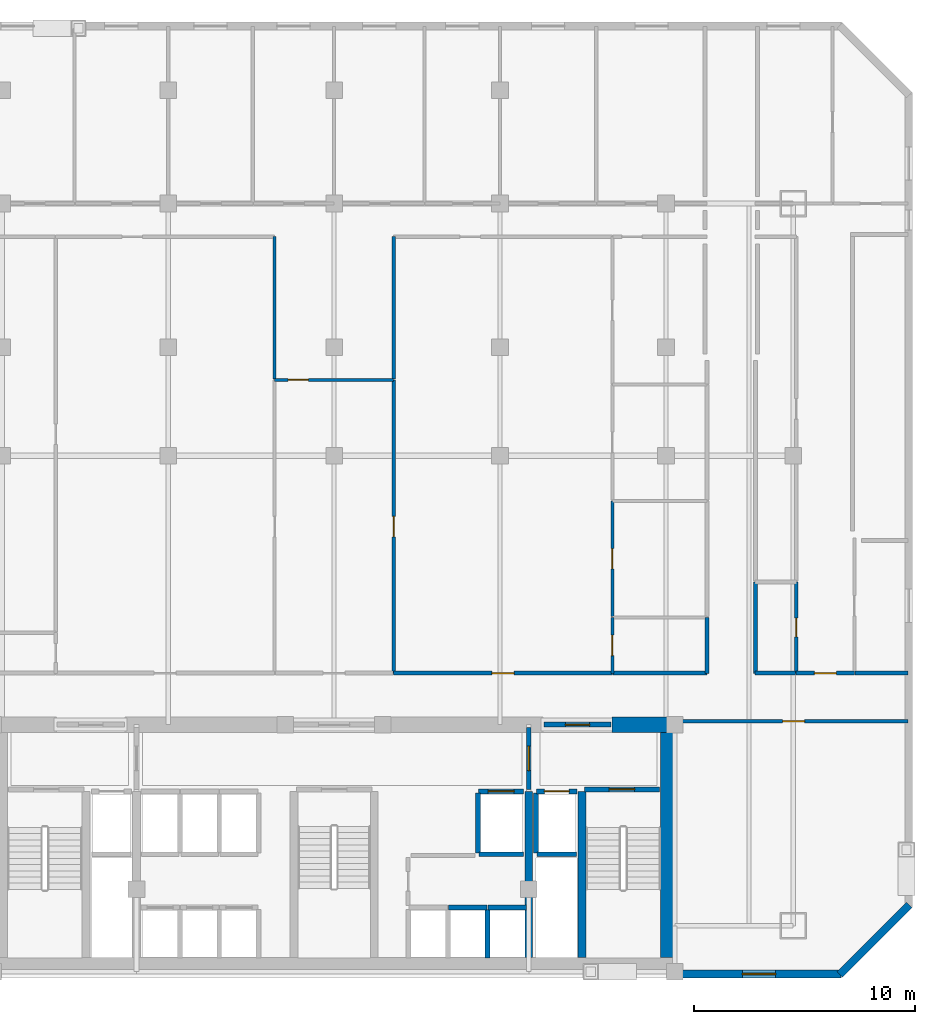
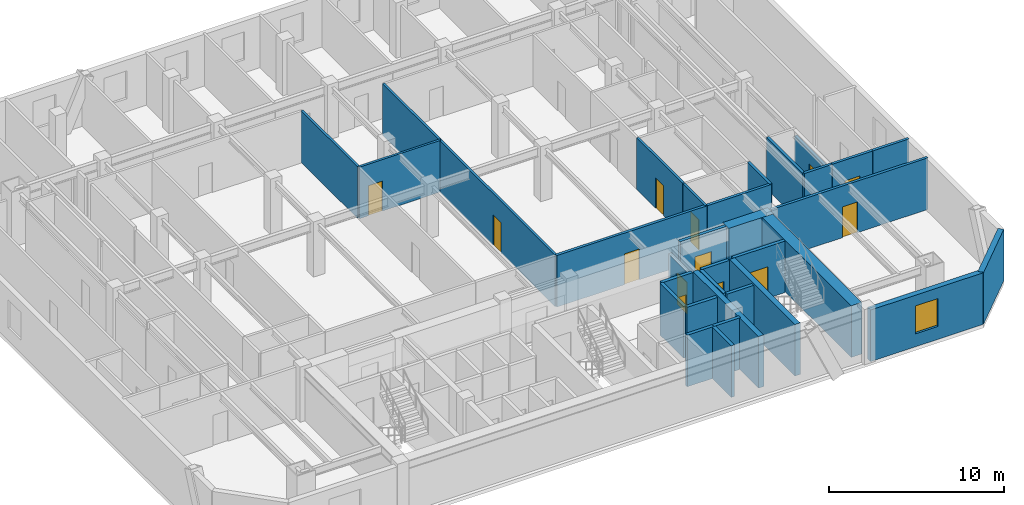
# One storey, part 4 of 8: 33 walls, 13 doors, 1 window, 14 openings.
"""IFC4 building model written with IfcOpenShell, lengths in metres."""

from ifc_helpers import new_model, si_unit, direction, frame, frame_2d, origin, place, context, subcontext, project, spatial, rectangle, extrude, material, layer, layer_set, type_object, element, fill, save


model = new_model("IFC4")

# Units and contexts
model_context = context("Model", 3, precision=1e-05, world=origin(), true_north=direction((0.0, 1.0)))
body_context = subcontext(model_context, "Body", "Model", "MODEL_VIEW")
ifc_project = project(units=[si_unit("LENGTHUNIT", "METRE"), si_unit("AREAUNIT", "SQUARE_METRE"), si_unit("VOLUMEUNIT", "CUBIC_METRE"), si_unit("PLANEANGLEUNIT", "RADIAN"), si_unit("MASSUNIT", "GRAM", prefix="KILO")], contexts=[model_context])

# Site, building, storey
site_placement = place(None, origin())
site = spatial("IfcSite", under=ifc_project, at=site_placement, CompositionType="ELEMENT")
building_placement = place(site_placement, origin())
building = spatial("IfcBuilding", under=site, at=building_placement, Name="Ventersveld Concourse Tower", CompositionType="ELEMENT")
storey_placement = place(building_placement, frame((0.0, 0.0, 127.25)))
storey = spatial("IfcBuildingStorey", under=building, at=storey_placement, Name="L31", CompositionType="ELEMENT", Elevation=127.25)

# Walls
ifc_material_1 = material(Name="Concrete C60/75", Category="concrete")
ifc_layer_1 = layer(ifc_material_1, 0.35009765625)
ifc_layer_set_1 = layer_set([ifc_layer_1], Name="Concrete C60/75")
wall_type_1 = type_object("IfcWallType", Name="WL-CORE-350L", PredefinedType="SHEAR", material=ifc_layer_set_1)
for number, where, z_axis, x_axis, name in (
    (1, (37.550048828125, 0.919921875, 0.0), (0.0, 0.0, 1.0), (0.0, 1.0, 0.0), "L31 Core Internal Shear Web W-SVL-W"),
    (2, (39.9599609375, 0.919921875, 0.0), (0.0, 0.0, 1.0), (0.0, 1.0, 0.0), "L31 Core Internal Shear Web W-ST2-W"),
):
    element("IfcWall", number, at=place(storey_placement, frame(where, z_axis=z_axis, x_axis=x_axis)), inside=storey, type_object=wall_type_1, Name=name, PredefinedType="SHEAR", context=body_context, shape_type="SweptSolid", body=[
        extrude(rectangle(XDim=7.5, YDim=0.35009765625, at=frame_2d((3.75, 0.0))), origin(), (0.0, 0.0, 1.0), 3.60009765625),
    ])
ifc_layer_2 = layer(ifc_material_1, 0.699951171875)
ifc_layer_set_2 = layer_set([ifc_layer_2], Name="Concrete C60/75")
wall_type_2 = type_object("IfcWallType", Name="WL-CORE-700", PredefinedType="SHEAR", material=ifc_layer_set_2)
wall_1_placement = place(storey_placement, frame((43.85009765625, 0.919921875, 0.0), z_axis=(0.0, 0.0, 1.0), x_axis=(0.0, 1.0, 0.0)))
element("IfcWall", 3, at=wall_1_placement, inside=storey, type_object=wall_type_2, Name="L31 Rear Core East Shear Wall", PredefinedType="SHEAR", context=body_context, shape_type="SweptSolid", body=[
    extrude(rectangle(XDim=10.530029296875, YDim=0.699951171875, at=frame_2d((5.26513671875, 0.0))), origin(), (0.0, 0.0, 1.0), 3.60009765625),
])
wall_2_placement = place(storey_placement, frame((41.300048828125, 11.449951171875, 0.0), z_axis=(0.0, 0.0, 1.0), x_axis=(1.0, 0.0, 0.0)))
element("IfcWall", 4, at=wall_2_placement, inside=storey, type_object=wall_type_2, Name="L31 Rear Core North Shear Wall NE", PredefinedType="SHEAR", context=body_context, shape_type="SweptSolid", body=[
    extrude(rectangle(XDim=2.949951171875, YDim=0.699951171875, at=frame_2d((1.47509765625, 0.0))), origin(), (0.0, 0.0, 1.0), 3.60009765625),
])

# Wall, opening, door
ifc_material_2 = material(Name="Fire-rated autoclaved aerated masonry blockwork", Category="masonry")
ifc_layer_3 = layer(ifc_material_2, 0.179931640625)
ifc_layer_set_3 = layer_set([ifc_layer_3], Name="Fire-rated autoclaved aerated masonry blockwork")
wall_type_3 = type_object("IfcWallType", Name="WL-CORR-180", PredefinedType="PARTITIONING", material=ifc_layer_set_3)
wall_3_placement = place(storey_placement, frame((44.35498046875, 11.60009765625, 0.0), z_axis=(0.0, 0.0, 1.0), x_axis=(1.0, 0.0, 0.0)))
wall_3 = element("IfcWall", 5, at=wall_3_placement, inside=storey, type_object=wall_type_3, Name="L31 Interior Partition SP-L31-SE-OFF-SP-L31-COR", PredefinedType="PARTITIONING", context=body_context, shape_type="SweptSolid", body=[
    extrude(rectangle(XDim=10.3349609375, YDim=0.179931640625, at=frame_2d((5.16748046875, 0.0))), origin(), (0.0, 0.0, 1.0), 3.60009765625),
])
opening_1_placement = place(wall_3_placement, frame((4.66748046875, 0.0, 0.0)))
opening_1 = element("IfcOpeningElement", 6, at=opening_1_placement, cuts=wall_3, Name="Opening FD3", PredefinedType="OPENING", context=body_context, shape_type="SweptSolid", body=[
    extrude(rectangle(XDim=1.0, YDim=2.14990234375, at=frame_2d((0.5, 1.074951171875))), frame((0.0, 0.10009765625, 0.0), z_axis=(0.0, -1.0, 0.0), x_axis=(1.0, 0.0, 0.0)), (0.0, 0.0, 1.0), 0.199951171875),
])
ifc_material_3 = material(Name="Solid-core hardwood veneer timber", Category="wood")
door_type_1 = type_object("IfcDoorType", Name="DR-FLAT-100", OperationType="NOTDEFINED", PredefinedType="DOOR", material=ifc_material_3)
door_1_placement = place(opening_1_placement, origin())
door_1 = element("IfcDoor", 7, at=door_1_placement, inside=storey, type_object=door_type_1, Name="L31 Interior Door SP-L31-SE-OFF to SP-L31-COR (D-L31-1544)", OperationType="SINGLE_SWING_RIGHT", OverallHeight=2.14990234375, OverallWidth=1.0, PredefinedType="DOOR", context=body_context, shape_type="SweptSolid", body=[
    extrude(rectangle(XDim=1.0, YDim=2.14990234375, at=frame_2d((0.5, 1.074951171875))), frame((0.0, 0.02490234375, 0.0), z_axis=(0.0, -1.0, 0.0), x_axis=(1.0, 0.0, 0.0)), (0.0, 0.0, 1.0), 0.050048828125),
])
fill(opening_1, door_1)

wall_4_placement = place(storey_placement, frame((49.637451171875, 13.77001953125, 0.0), z_axis=(0.0, 0.0, 1.0), x_axis=(1.0, 0.0, 0.0)))
wall_4 = element("IfcWall", 8, at=wall_4_placement, inside=storey, type_object=wall_type_3, Name="L31 Interior Partition SP-L31-COR-SP-L31-31NE-LIV", PredefinedType="PARTITIONING", context=body_context, shape_type="SweptSolid", body=[
    extrude(rectangle(XDim=2.635986328125, YDim=0.179931640625, at=frame_2d((1.31787109375, 0.0))), origin(), (0.0, 0.0, 1.0), 3.60009765625),
])
opening_2_placement = place(wall_4_placement, frame((0.818115234375, 0.0, 0.0)))
opening_2 = element("IfcOpeningElement", 9, at=opening_2_placement, cuts=wall_4, Name="Opening FD3", PredefinedType="OPENING", context=body_context, shape_type="SweptSolid", body=[
    extrude(rectangle(XDim=1.0, YDim=2.14990234375, at=frame_2d((0.5, 1.074951171875))), frame((0.0, 0.10009765625, 0.0), z_axis=(0.0, -1.0, 0.0), x_axis=(1.0, 0.0, 0.0)), (0.0, 0.0, 1.0), 0.199951171875),
])
door_2_placement = place(opening_2_placement, origin())
door_2 = element("IfcDoor", 10, at=door_2_placement, inside=storey, type_object=door_type_1, Name="L31 Interior Door SP-L31-COR to SP-L31-31NE-LIV (FD-L31-1546)", OperationType="SINGLE_SWING_RIGHT", OverallHeight=2.14990234375, OverallWidth=1.0, PredefinedType="DOOR", context=body_context, shape_type="SweptSolid", body=[
    extrude(rectangle(XDim=1.0, YDim=2.14990234375, at=frame_2d((0.5, 1.074951171875))), frame((0.0, 0.02490234375, 0.0), z_axis=(0.0, -1.0, 0.0), x_axis=(1.0, 0.0, 0.0)), (0.0, 0.0, 1.0), 0.050048828125),
])
fill(opening_2, door_2)

# Walls
wall_5_placement = place(storey_placement, frame((47.7900390625, 13.764892578125, 0.0), z_axis=(0.0, 0.0, 1.0), x_axis=(0.0, 1.0, 0.0)))
element("IfcWall", 11, at=wall_5_placement, inside=storey, type_object=wall_type_3, Name="L31 Interior Partition SP-L31-COR-SP-L31-31NE-BATH", PredefinedType="PARTITIONING", context=body_context, shape_type="SweptSolid", body=[
    extrude(rectangle(XDim=4.136474609375, YDim=0.179931640625, at=frame_2d((2.068359375, 0.0))), origin(), (0.0, 0.0, 1.0), 3.60009765625),
])
wall_6_placement = place(storey_placement, frame((47.784912109375, 13.77001953125, 0.0), z_axis=(0.0, 0.0, 1.0), x_axis=(1.0, 0.0, 0.0)))
element("IfcWall", 12, at=wall_6_placement, inside=storey, type_object=wall_type_3, Name="L31 Interior Partition SP-L31-COR-SP-L31-31NE-BATH", PredefinedType="PARTITIONING", context=body_context, shape_type="SweptSolid", body=[
    extrude(rectangle(XDim=1.822509765625, YDim=0.179931640625, at=frame_2d((0.9111328125, 0.0))), origin(), (0.0, 0.0, 1.0), 3.60009765625),
])
wall_7_placement = place(storey_placement, frame((52.303466796875, 13.77001953125, 0.0), z_axis=(0.0, 0.0, 1.0), x_axis=(1.0, 0.0, 0.0)))
element("IfcWall", 13, at=wall_7_placement, inside=storey, type_object=wall_type_3, Name="L31 Interior Partition SP-L31-COR-SP-L31-31NE-KIT", PredefinedType="PARTITIONING", context=body_context, shape_type="SweptSolid", body=[
    extrude(rectangle(XDim=2.386474609375, YDim=0.179931640625, at=frame_2d((1.193359375, 0.0))), origin(), (0.0, 0.0, 1.0), 3.60009765625),
])

# Wall, opening, door
wall_8_placement = place(storey_placement, frame((31.43505859375, 13.77001953125, 0.0), z_axis=(0.0, 0.0, 1.0), x_axis=(1.0, 0.0, 0.0)))
wall_8 = element("IfcWall", 14, at=wall_8_placement, inside=storey, type_object=wall_type_3, Name="L31 Interior Partition SP-L31-COR-SP-L31-31N1-EGAL1", PredefinedType="PARTITIONING", context=body_context, shape_type="SweptSolid", body=[
    extrude(rectangle(XDim=9.89990234375, YDim=0.179931640625, at=frame_2d((4.949951171875, 0.0))), origin(), (0.0, 0.0, 1.0), 3.60009765625),
])
opening_3_placement = place(wall_8_placement, frame((4.449951171875, 0.0, 0.0)))
opening_3 = element("IfcOpeningElement", 15, at=opening_3_placement, cuts=wall_8, Name="Opening FD3", PredefinedType="OPENING", context=body_context, shape_type="SweptSolid", body=[
    extrude(rectangle(XDim=1.0, YDim=2.14990234375, at=frame_2d((0.5, 1.074951171875))), frame((0.0, 0.10009765625, 0.0), z_axis=(0.0, -1.0, 0.0), x_axis=(1.0, 0.0, 0.0)), (0.0, 0.0, 1.0), 0.199951171875),
])
door_3_placement = place(opening_3_placement, origin())
door_3 = element("IfcDoor", 16, at=door_3_placement, inside=storey, type_object=door_type_1, Name="L31 Interior Door SP-L31-COR to SP-L31-31N1-EGAL1 (FD-L31-1548)", OperationType="SINGLE_SWING_RIGHT", OverallHeight=2.14990234375, OverallWidth=1.0, PredefinedType="DOOR", context=body_context, shape_type="SweptSolid", body=[
    extrude(rectangle(XDim=1.0, YDim=2.14990234375, at=frame_2d((0.5, 1.074951171875))), frame((0.0, 0.02490234375, 0.0), z_axis=(0.0, -1.0, 0.0), x_axis=(1.0, 0.0, 0.0)), (0.0, 0.0, 1.0), 0.050048828125),
])
fill(opening_3, door_3)

# Walls
wall_9_placement = place(storey_placement, frame((41.364990234375, 13.77001953125, 0.0), z_axis=(0.0, 0.0, 1.0), x_axis=(1.0, 0.0, 0.0)))
element("IfcWall", 17, at=wall_9_placement, inside=storey, type_object=wall_type_3, Name="L31 Interior Partition SP-L31-COR-SP-L31-31N1-KIT", PredefinedType="PARTITIONING", context=body_context, shape_type="SweptSolid", body=[
    extrude(rectangle(XDim=4.25, YDim=0.179931640625, at=frame_2d((2.125, 0.0))), origin(), (0.0, 0.0, 1.0), 3.60009765625),
])
wall_10_placement = place(storey_placement, frame((45.610107421875, 13.764892578125, 0.0), z_axis=(0.0, 0.0, 1.0), x_axis=(0.0, 1.0, 0.0)))
element("IfcWall", 18, at=wall_10_placement, inside=storey, type_object=wall_type_3, Name="L31 Interior Partition SP-L31-COR-SP-L31-31N1-KIT", PredefinedType="PARTITIONING", context=body_context, shape_type="SweptSolid", body=[
    extrude(rectangle(XDim=2.531494140625, YDim=0.179931640625, at=frame_2d((1.265625, 0.0))), origin(), (0.0, 0.0, 1.0), 3.60009765625),
])
ifc_layer_4 = layer(ifc_material_2, 0.219970703125)
ifc_layer_set_4 = layer_set([ifc_layer_4], Name="Fire-rated autoclaved aerated masonry blockwork")
wall_type_4 = type_object("IfcWallType", Name="WL-HOIST-220", PredefinedType="SOLIDWALL", material=ifc_layer_set_4)
wall_11_placement = place(storey_placement, frame((37.919921875, 5.590087890625, 0.0), z_axis=(0.0, 0.0, 1.0), x_axis=(1.0, 0.0, 0.0)))
element("IfcWall", 19, at=wall_11_placement, inside=storey, type_object=wall_type_4, Name="L31 Lift Hoistway Back Wall FFL-02", PredefinedType="SOLIDWALL", context=body_context, shape_type="SweptSolid", body=[
    extrude(rectangle(XDim=1.780029296875, YDim=0.219970703125, at=frame_2d((0.89013671875, 0.0))), origin(), (0.0, 0.0, 1.0), 3.60009765625),
])
wall_12_placement = place(storey_placement, frame((37.8798828125, 5.64990234375, 0.0), z_axis=(0.0, 0.0, 1.0), x_axis=(0.0, 1.0, 0.0)))
element("IfcWall", 20, at=wall_12_placement, inside=storey, type_object=wall_type_4, Name="L31 Lift Hoistway Side Wall FFL-02W", PredefinedType="SOLIDWALL", context=body_context, shape_type="SweptSolid", body=[
    extrude(rectangle(XDim=2.7001953125, YDim=0.219970703125, at=frame_2d((1.35009765625, 0.0))), origin(), (0.0, 0.0, 1.0), 3.60009765625),
])

# Wall, opening, door
wall_13_placement = place(storey_placement, frame((37.89990234375, 8.429931640625, 0.0), z_axis=(0.0, 0.0, 1.0), x_axis=(1.0, 0.0, 0.0)))
wall_13 = element("IfcWall", 21, at=wall_13_placement, inside=storey, type_object=wall_type_4, Name="L31 Lift Hoistway Front Wall FFL-02", PredefinedType="SOLIDWALL", context=body_context, shape_type="SweptSolid", body=[
    extrude(rectangle(XDim=1.820068359375, YDim=0.219970703125, at=frame_2d((0.91015625, 0.0))), origin(), (0.0, 0.0, 1.0), 3.60009765625),
])
opening_4_placement = place(wall_13_placement, frame((0.35009765625, 0.0, 0.0)))
opening_4 = element("IfcOpeningElement", 22, at=opening_4_placement, cuts=wall_13, Name="Opening LD1", PredefinedType="OPENING", context=body_context, shape_type="SweptSolid", body=[
    extrude(rectangle(XDim=1.1201171875, YDim=2.25, at=frame_2d((0.56005859375, 1.125))), frame((0.0, 0.1201171875, 0.0), z_axis=(0.0, -1.0, 0.0), x_axis=(1.0, 0.0, 0.0)), (0.0, 0.0, 1.0), 0.239990234375),
])
ifc_material_4 = material(Name="Brushed stainless steel 316", Category="steel")
door_type_2 = type_object("IfcDoorType", Name="LD-FF-112", OperationType="SLIDING_TO_LEFT", PredefinedType="DOOR", material=ifc_material_4)
door_4_placement = place(opening_4_placement, origin())
door_4 = element("IfcDoor", 23, at=door_4_placement, inside=storey, type_object=door_type_2, Name="L31 Lift landing door FFL-02 (LD-L31-FFL-02)", OperationType="SLIDING_TO_RIGHT", OverallHeight=2.25, OverallWidth=1.1201171875, PredefinedType="DOOR", context=body_context, shape_type="SweptSolid", body=[
    extrude(rectangle(XDim=1.1201171875, YDim=2.25, at=frame_2d((0.56005859375, 1.125))), frame((0.0, 0.02490234375, 0.0), z_axis=(0.0, -1.0, 0.0), x_axis=(1.0, 0.0, 0.0)), (0.0, 0.0, 1.0), 0.050048828125),
])
fill(opening_4, door_4)

# Walls
wall_14_placement = place(storey_placement, frame((35.300048828125, 5.590087890625, 0.0), z_axis=(0.0, 0.0, 1.0), x_axis=(1.0, 0.0, 0.0)))
element("IfcWall", 24, at=wall_14_placement, inside=storey, type_object=wall_type_4, Name="L31 Lift Hoistway Back Wall SVL-01", PredefinedType="SOLIDWALL", context=body_context, shape_type="SweptSolid", body=[
    extrude(rectangle(XDim=2.0, YDim=0.219970703125, at=frame_2d((1.0, 0.0))), origin(), (0.0, 0.0, 1.0), 3.60009765625),
])
wall_15_placement = place(storey_placement, frame((35.260009765625, 5.64990234375, 0.0), z_axis=(0.0, 0.0, 1.0), x_axis=(0.0, 1.0, 0.0)))
element("IfcWall", 25, at=wall_15_placement, inside=storey, type_object=wall_type_4, Name="L31 Lift Hoistway Side Wall SVL-01W", PredefinedType="SOLIDWALL", context=body_context, shape_type="SweptSolid", body=[
    extrude(rectangle(XDim=2.7001953125, YDim=0.219970703125, at=frame_2d((1.35009765625, 0.0))), origin(), (0.0, 0.0, 1.0), 3.60009765625),
])

# Wall, opening, door
wall_16_placement = place(storey_placement, frame((35.280029296875, 8.429931640625, 0.0), z_axis=(0.0, 0.0, 1.0), x_axis=(1.0, 0.0, 0.0)))
wall_16 = element("IfcWall", 26, at=wall_16_placement, inside=storey, type_object=wall_type_4, Name="L31 Lift Hoistway Front Wall SVL-01", PredefinedType="SOLIDWALL", context=body_context, shape_type="SweptSolid", body=[
    extrude(rectangle(XDim=2.0400390625, YDim=0.219970703125, at=frame_2d((1.02001953125, 0.0))), origin(), (0.0, 0.0, 1.0), 3.60009765625),
])
opening_5_placement = place(wall_16_placement, frame((0.429931640625, 0.0, 0.0)))
opening_5 = element("IfcOpeningElement", 27, at=opening_5_placement, cuts=wall_16, Name="Opening LD2", PredefinedType="OPENING", context=body_context, shape_type="SweptSolid", body=[
    extrude(rectangle(XDim=1.179931640625, YDim=2.199951171875, at=frame_2d((0.58984375, 1.10009765625))), frame((0.0, 0.1201171875, 0.0), z_axis=(0.0, -1.0, 0.0), x_axis=(1.0, 0.0, 0.0)), (0.0, 0.0, 1.0), 0.239990234375),
])
door_type_3 = type_object("IfcDoorType", Name="LD-PAX-118", OperationType="SLIDING_TO_LEFT", PredefinedType="DOOR", material=ifc_material_4)
door_5_placement = place(opening_5_placement, origin())
door_5 = element("IfcDoor", 28, at=door_5_placement, inside=storey, type_object=door_type_3, Name="L31 Lift landing door SVL-01 (LD-L31-SVL-01)", OperationType="SLIDING_TO_LEFT", OverallHeight=2.199951171875, OverallWidth=1.179931640625, PredefinedType="DOOR", context=body_context, shape_type="SweptSolid", body=[
    extrude(rectangle(XDim=1.179931640625, YDim=2.199951171875, at=frame_2d((0.58984375, 1.10009765625))), frame((0.0, 0.02490234375, 0.0), z_axis=(0.0, -1.0, 0.0), x_axis=(1.0, 0.0, 0.0)), (0.0, 0.0, 1.0), 0.050048828125),
])
fill(opening_5, door_5)

# Walls
wall_17_placement = place(storey_placement, frame((35.679931640625, 0.89990234375, 0.0), z_axis=(0.0, 0.0, 1.0), x_axis=(0.0, 1.0, 0.0)))
element("IfcWall", 29, at=wall_17_placement, inside=storey, type_object=wall_type_4, Name="L31 Lift Hoistway Side Wall PM-02E", PredefinedType="SOLIDWALL", context=body_context, shape_type="SweptSolid", body=[
    extrude(rectangle(XDim=2.2001953125, YDim=0.219970703125, at=frame_2d((1.10009765625, 0.0))), origin(), (0.0, 0.0, 1.0), 3.60009765625),
])
for number, where, z_axis, x_axis, name in (
    (30, (33.919921875, 3.179931640625, 0.0), (0.0, 0.0, 1.0), (1.0, 0.0, 0.0), "L31 Lift Hoistway Front Wall PM-02"),
    (31, (35.699951171875, 3.179931640625, 0.0), (0.0, 0.0, 1.0), (1.0, 0.0, 0.0), "L31 Lift Hoistway Front Wall PM-03"),
):
    element("IfcWall", number, at=place(storey_placement, frame(where, z_axis=z_axis, x_axis=x_axis)), inside=storey, type_object=wall_type_4, Name=name, PredefinedType="SOLIDWALL", context=body_context, shape_type="SweptSolid", body=[
        extrude(rectangle(XDim=1.739990234375, YDim=0.219970703125, at=frame_2d((0.8701171875, 0.0))), origin(), (0.0, 0.0, 1.0), 3.60009765625),
    ])

# Wall, opening, door
wall_18_placement = place(storey_placement, frame((40.06005859375, 8.52001953125, 0.0), z_axis=(0.0, 0.0, 1.0), x_axis=(1.0, 0.0, 0.0)))
wall_18 = element("IfcWall", 32, at=wall_18_placement, inside=storey, type_object=wall_type_4, Name="L31 Escape Stair ST02 Fire Wall", PredefinedType="SOLIDWALL", context=body_context, shape_type="SweptSolid", body=[
    extrude(rectangle(XDim=3.39990234375, YDim=0.219970703125, at=frame_2d((1.699951171875, 0.0))), origin(), (0.0, 0.0, 1.0), 3.60009765625),
])
opening_6_placement = place(wall_18_placement, frame((1.125, 0.0, 0.0)))
opening_6 = element("IfcOpeningElement", 33, at=opening_6_placement, cuts=wall_18, Name="Opening FD1", PredefinedType="OPENING", context=body_context, shape_type="SweptSolid", body=[
    extrude(rectangle(XDim=1.14990234375, YDim=2.199951171875, at=frame_2d((0.574951171875, 1.10009765625))), frame((0.0, 0.1201171875, 0.0), z_axis=(0.0, -1.0, 0.0), x_axis=(1.0, 0.0, 0.0)), (0.0, 0.0, 1.0), 0.239990234375),
])
ifc_material_5 = material(Name="Galvanised painted steel", Category="steel")
door_type_4 = type_object("IfcDoorType", Name="DR-STAIR-115", OperationType="NOTDEFINED", PredefinedType="DOOR", material=ifc_material_5)
door_6_placement = place(opening_6_placement, origin())
door_6 = element("IfcDoor", 34, at=door_6_placement, inside=storey, type_object=door_type_4, Name="L31 Escape Stair Door ST02 (SD-L31-1535)", OperationType="SINGLE_SWING_RIGHT", OverallHeight=2.199951171875, OverallWidth=1.14990234375, PredefinedType="DOOR", context=body_context, shape_type="SweptSolid", body=[
    extrude(rectangle(XDim=1.14990234375, YDim=2.199951171875, at=frame_2d((0.574951171875, 1.10009765625))), frame((0.0, 0.02490234375, 0.0), z_axis=(0.0, -1.0, 0.0), x_axis=(1.0, 0.0, 0.0)), (0.0, 0.0, 1.0), 0.050048828125),
])
fill(opening_6, door_6)

wall_19_placement = place(storey_placement, frame((37.550048828125, 8.52001953125, 0.0), z_axis=(0.0, 0.0, 1.0), x_axis=(0.0, 1.0, 0.0)))
wall_19 = element("IfcWall", 35, at=wall_19_placement, inside=storey, type_object=wall_type_4, Name="L31 Firefighting Lobby Smoke-Stop Wall FFLE-SEP", PredefinedType="SOLIDWALL", context=body_context, shape_type="SweptSolid", body=[
    extrude(rectangle(XDim=2.800048828125, YDim=0.219970703125, at=frame_2d((1.39990234375, 0.0))), origin(), (0.0, 0.0, 1.0), 3.055419921875),
])
opening_7_placement = place(wall_19_placement, frame((0.85009765625, 0.0, 0.0)))
opening_7 = element("IfcOpeningElement", 36, at=opening_7_placement, cuts=wall_19, Name="Opening FD2", PredefinedType="OPENING", context=body_context, shape_type="SweptSolid", body=[
    extrude(rectangle(XDim=1.10009765625, YDim=2.199951171875, at=frame_2d((0.550048828125, 1.10009765625))), frame((0.0, 0.1201171875, 0.0), z_axis=(0.0, -1.0, 0.0), x_axis=(1.0, 0.0, 0.0)), (0.0, 0.0, 1.0), 0.239990234375),
])
door_type_5 = type_object("IfcDoorType", Name="DR-FFL-110", OperationType="NOTDEFINED", PredefinedType="DOOR", material=ifc_material_5)
door_7_placement = place(opening_7_placement, origin())
door_7 = element("IfcDoor", 37, at=door_7_placement, inside=storey, type_object=door_type_5, Name="L31 Firefighting Lobby Door FFLE-SEP (FD-L31-1538)", OperationType="SINGLE_SWING_RIGHT", OverallHeight=2.199951171875, OverallWidth=1.10009765625, PredefinedType="DOOR", context=body_context, shape_type="SweptSolid", body=[
    extrude(rectangle(XDim=1.10009765625, YDim=2.199951171875, at=frame_2d((0.550048828125, 1.10009765625))), frame((0.0, 0.02490234375, 0.0), z_axis=(0.0, -1.0, 0.0), x_axis=(1.0, 0.0, 0.0)), (0.0, 0.0, 1.0), 0.050048828125),
])
fill(opening_7, door_7)

wall_20_placement = place(storey_placement, frame((38.22998046875, 11.449951171875, 0.0), z_axis=(0.0, 0.0, 1.0), x_axis=(1.0, 0.0, 0.0)))
wall_20 = element("IfcWall", 38, at=wall_20_placement, inside=storey, type_object=wall_type_4, Name="L31 Core North Fire Portal FFLE-OUT", PredefinedType="SOLIDWALL", context=body_context, shape_type="SweptSolid", body=[
    extrude(rectangle(XDim=3.0400390625, YDim=0.219970703125, at=frame_2d((1.52001953125, 0.0))), origin(), (0.0, 0.0, 1.0), 3.60009765625),
])
opening_8_placement = place(wall_20_placement, frame((0.969970703125, 0.0, 0.0)))
opening_8 = element("IfcOpeningElement", 39, at=opening_8_placement, cuts=wall_20, Name="Opening FD2", PredefinedType="OPENING", context=body_context, shape_type="SweptSolid", body=[
    extrude(rectangle(XDim=1.10009765625, YDim=2.199951171875, at=frame_2d((0.550048828125, 1.10009765625))), frame((0.0, 0.1201171875, 0.0), z_axis=(0.0, -1.0, 0.0), x_axis=(1.0, 0.0, 0.0)), (0.0, 0.0, 1.0), 0.239990234375),
])
door_8_placement = place(opening_8_placement, origin())
door_8 = element("IfcDoor", 40, at=door_8_placement, inside=storey, type_object=door_type_5, Name="L31 Core Lobby Fire Door FFLE-OUT (FD-L31-1541)", OperationType="SINGLE_SWING_LEFT", OverallHeight=2.199951171875, OverallWidth=1.10009765625, PredefinedType="DOOR", context=body_context, shape_type="SweptSolid", body=[
    extrude(rectangle(XDim=1.10009765625, YDim=2.199951171875, at=frame_2d((0.550048828125, 1.10009765625))), frame((0.0, 0.02490234375, 0.0), z_axis=(0.0, -1.0, 0.0), x_axis=(1.0, 0.0, 0.0)), (0.0, 0.0, 1.0), 0.050048828125),
])
fill(opening_8, door_8)

# Wall
ifc_material_6 = material(Name="Autoclaved aerated masonry blockwork", Category="masonry")
ifc_layer_5 = layer(ifc_material_6, 0.14990234375)
ifc_layer_set_5 = layer_set([ifc_layer_5], Name="Autoclaved aerated masonry blockwork")
wall_type_5 = type_object("IfcWallType", Name="WL-INT-150", PredefinedType="PARTITIONING", material=ifc_layer_set_5)
wall_21_placement = place(storey_placement, frame((26.06005859375, 27.06201171875, 0.0), z_axis=(0.0, 0.0, 1.0), x_axis=(0.0, 1.0, 0.0)))
element("IfcWall", 41, at=wall_21_placement, inside=storey, type_object=wall_type_5, Name="L31 Interior Partition SP-L31-31N1-WGAL1-SP-L31-31N1-LIV", PredefinedType="PARTITIONING", context=body_context, shape_type="SweptSolid", body=[
    extrude(rectangle(XDim=6.44287109375, YDim=0.14990234375, at=frame_2d((3.221435546875, 0.0))), origin(), (0.0, 0.0, 1.0), 3.60009765625),
])

# Wall, opening, door
wall_22_placement = place(storey_placement, frame((31.43994140625, 13.764892578125, 0.0), z_axis=(0.0, 0.0, 1.0), x_axis=(0.0, 1.0, 0.0)))
wall_22 = element("IfcWall", 42, at=wall_22_placement, inside=storey, type_object=wall_type_5, Name="L31 Interior Partition SP-L31-31N1-EGAL1-SP-L31-31N1-FOY", PredefinedType="PARTITIONING", context=body_context, shape_type="SweptSolid", body=[
    extrude(rectangle(XDim=13.26708984375, YDim=0.14990234375, at=frame_2d((6.633544921875, 0.0))), origin(), (0.0, 0.0, 1.0), 3.60009765625),
])
opening_9_placement = place(wall_22_placement, frame((6.17333984375, 0.0, 0.0)))
opening_9 = element("IfcOpeningElement", 43, at=opening_9_placement, cuts=wall_22, Name="Opening ID1", PredefinedType="OPENING", context=body_context, shape_type="SweptSolid", body=[
    extrude(rectangle(XDim=0.919921875, YDim=2.10009765625, at=frame_2d((0.4599609375, 1.050048828125))), frame((0.0, 0.0849609375, 0.0), z_axis=(0.0, -1.0, 0.0), x_axis=(1.0, 0.0, 0.0)), (0.0, 0.0, 1.0), 0.169921875),
])
door_type_6 = type_object("IfcDoorType", Name="DR-ROOM-092", OperationType="NOTDEFINED", PredefinedType="DOOR", material=ifc_material_3)
door_9_placement = place(opening_9_placement, origin())
door_9 = element("IfcDoor", 44, at=door_9_placement, inside=storey, type_object=door_type_6, Name="L31 Interior Door SP-L31-31N1-EGAL1 to SP-L31-31N1-FOY (D-L31-1565)", OperationType="SINGLE_SWING_LEFT", OverallHeight=2.10009765625, OverallWidth=0.919921875, PredefinedType="DOOR", context=body_context, shape_type="SweptSolid", body=[
    extrude(rectangle(XDim=0.919921875, YDim=2.10009765625, at=frame_2d((0.4599609375, 1.050048828125))), frame((0.0, 0.02490234375, 0.0), z_axis=(0.0, -1.0, 0.0), x_axis=(1.0, 0.0, 0.0)), (0.0, 0.0, 1.0), 0.050048828125),
])
fill(opening_9, door_9)

# Wall
wall_23_placement = place(storey_placement, frame((31.43994140625, 27.06201171875, 0.0), z_axis=(0.0, 0.0, 1.0), x_axis=(0.0, 1.0, 0.0)))
element("IfcWall", 45, at=wall_23_placement, inside=storey, type_object=wall_type_5, Name="L31 Interior Partition SP-L31-31N1-EGAL1-SP-L31-31N1-LIV", PredefinedType="PARTITIONING", context=body_context, shape_type="SweptSolid", body=[
    extrude(rectangle(XDim=6.44287109375, YDim=0.14990234375, at=frame_2d((3.221435546875, 0.0))), origin(), (0.0, 0.0, 1.0), 3.60009765625),
])

# Wall, opening, door
wall_24_placement = place(storey_placement, frame((41.330078125, 13.764892578125, 0.0), z_axis=(0.0, 0.0, 1.0), x_axis=(0.0, 1.0, 0.0)))
wall_24 = element("IfcWall", 46, at=wall_24_placement, inside=storey, type_object=wall_type_5, Name="L31 Interior Partition SP-L31-31N1-EGAL1-SP-L31-31N1-KIT", PredefinedType="PARTITIONING", context=body_context, shape_type="SweptSolid", body=[
    extrude(rectangle(XDim=2.531494140625, YDim=0.14990234375, at=frame_2d((1.265625, 0.0))), origin(), (0.0, 0.0, 1.0), 3.60009765625),
])
opening_10_placement = place(wall_24_placement, frame((0.805908203125, 0.0, 0.0)))
opening_10 = element("IfcOpeningElement", 47, at=opening_10_placement, cuts=wall_24, Name="Opening ID1", PredefinedType="OPENING", context=body_context, shape_type="SweptSolid", body=[
    extrude(rectangle(XDim=0.919921875, YDim=2.10009765625, at=frame_2d((0.4599609375, 1.050048828125))), frame((0.0, 0.0849609375, 0.0), z_axis=(0.0, -1.0, 0.0), x_axis=(1.0, 0.0, 0.0)), (0.0, 0.0, 1.0), 0.169921875),
])
door_10_placement = place(opening_10_placement, origin())
door_10 = element("IfcDoor", 48, at=door_10_placement, inside=storey, type_object=door_type_6, Name="L31 Interior Door SP-L31-31N1-EGAL1 to SP-L31-31N1-KIT (D-L31-1567)", OperationType="SINGLE_SWING_LEFT", OverallHeight=2.10009765625, OverallWidth=0.919921875, PredefinedType="DOOR", context=body_context, shape_type="SweptSolid", body=[
    extrude(rectangle(XDim=0.919921875, YDim=2.10009765625, at=frame_2d((0.4599609375, 1.050048828125))), frame((0.0, 0.02490234375, 0.0), z_axis=(0.0, -1.0, 0.0), x_axis=(1.0, 0.0, 0.0)), (0.0, 0.0, 1.0), 0.050048828125),
])
fill(opening_10, door_10)

wall_25_placement = place(storey_placement, frame((41.330078125, 16.326416015625, 0.0), z_axis=(0.0, 0.0, 1.0), x_axis=(0.0, 1.0, 0.0)))
wall_25 = element("IfcWall", 49, at=wall_25_placement, inside=storey, type_object=wall_type_5, Name="L31 Interior Partition SP-L31-31N1-EGAL1-SP-L31-31N1-DENR", PredefinedType="PARTITIONING", context=body_context, shape_type="SweptSolid", body=[
    extrude(rectangle(XDim=5.23388671875, YDim=0.14990234375, at=frame_2d((2.616943359375, 0.0))), origin(), (0.0, 0.0, 1.0), 3.60009765625),
])
opening_11_placement = place(wall_25_placement, frame((2.15673828125, 0.0, 0.0)))
opening_11 = element("IfcOpeningElement", 50, at=opening_11_placement, cuts=wall_25, Name="Opening ID1", PredefinedType="OPENING", context=body_context, shape_type="SweptSolid", body=[
    extrude(rectangle(XDim=0.919921875, YDim=2.10009765625, at=frame_2d((0.4599609375, 1.050048828125))), frame((0.0, 0.0849609375, 0.0), z_axis=(0.0, -1.0, 0.0), x_axis=(1.0, 0.0, 0.0)), (0.0, 0.0, 1.0), 0.169921875),
])
door_11_placement = place(opening_11_placement, origin())
door_11 = element("IfcDoor", 51, at=door_11_placement, inside=storey, type_object=door_type_6, Name="L31 Interior Door SP-L31-31N1-EGAL1 to SP-L31-31N1-DENR (D-L31-1568)", OperationType="SINGLE_SWING_RIGHT", OverallHeight=2.10009765625, OverallWidth=0.919921875, PredefinedType="DOOR", context=body_context, shape_type="SweptSolid", body=[
    extrude(rectangle(XDim=0.919921875, YDim=2.10009765625, at=frame_2d((0.4599609375, 1.050048828125))), frame((0.0, 0.02490234375, 0.0), z_axis=(0.0, -1.0, 0.0), x_axis=(1.0, 0.0, 0.0)), (0.0, 0.0, 1.0), 0.050048828125),
])
fill(opening_11, door_11)

wall_26_placement = place(storey_placement, frame((26.054931640625, 27.02685546875, 0.0), z_axis=(0.0, 0.0, 1.0), x_axis=(1.0, 0.0, 0.0)))
wall_26 = element("IfcWall", 52, at=wall_26_placement, inside=storey, type_object=wall_type_5, Name="L31 Interior Partition SP-L31-31N1-FOY-SP-L31-31N1-LIV", PredefinedType="PARTITIONING", context=body_context, shape_type="SweptSolid", body=[
    extrude(rectangle(XDim=5.39013671875, YDim=0.14990234375, at=frame_2d((2.695068359375, 0.0))), origin(), (0.0, 0.0, 1.0), 3.60009765625),
])
opening_12_placement = place(wall_26_placement, frame((0.617919921875, 0.0, 0.0)))
opening_12 = element("IfcOpeningElement", 53, at=opening_12_placement, cuts=wall_26, Name="Opening ID1", PredefinedType="OPENING", context=body_context, shape_type="SweptSolid", body=[
    extrude(rectangle(XDim=0.919921875, YDim=2.10009765625, at=frame_2d((0.4599609375, 1.050048828125))), frame((0.0, 0.0849609375, 0.0), z_axis=(0.0, -1.0, 0.0), x_axis=(1.0, 0.0, 0.0)), (0.0, 0.0, 1.0), 0.169921875),
])
door_12_placement = place(opening_12_placement, origin())
door_12 = element("IfcDoor", 54, at=door_12_placement, inside=storey, type_object=door_type_6, Name="L31 Interior Door SP-L31-31N1-FOY to SP-L31-31N1-LIV (D-L31-1571)", OperationType="SINGLE_SWING_LEFT", OverallHeight=2.10009765625, OverallWidth=0.919921875, PredefinedType="DOOR", context=body_context, shape_type="SweptSolid", body=[
    extrude(rectangle(XDim=0.919921875, YDim=2.10009765625, at=frame_2d((0.4599609375, 1.050048828125))), frame((0.0, 0.02490234375, 0.0), z_axis=(0.0, -1.0, 0.0), x_axis=(1.0, 0.0, 0.0)), (0.0, 0.0, 1.0), 0.050048828125),
])
fill(opening_12, door_12)

# Wall, opening, window
ifc_material_7 = material(Name="Precast concrete C45/55", Category="concrete")
ifc_layer_6 = layer(ifc_material_7, 0.35009765625)
ifc_layer_set_6 = layer_set([ifc_layer_6], Name="Precast concrete C45/55")
wall_type_6 = type_object("IfcWallType", Name="WL-PREC-350", PredefinedType="SOLIDWALL", material=ifc_layer_set_6)
wall_27_placement = place(storey_placement, frame((44.25, 0.179931640625, 0.0), z_axis=(0.0, 0.0, 1.0), x_axis=(1.0, 0.0, 0.0)))
wall_27 = element("IfcWall", 55, at=wall_27_placement, inside=storey, type_object=wall_type_6, Name="L31 South-East Flank Precast Wall", PredefinedType="SOLIDWALL", context=body_context, shape_type="SweptSolid", body=[
    extrude(rectangle(XDim=7.409912109375, YDim=0.35009765625, at=frame_2d((3.705078125, 0.0))), origin(), (0.0, 0.0, 1.0), 3.60009765625),
])
opening_13_placement = place(wall_27_placement, frame((2.955078125, 0.0, 0.89990234375)))
opening_13 = element("IfcOpeningElement", 56, at=opening_13_placement, cuts=wall_27, Name="Opening W1", PredefinedType="OPENING", context=body_context, shape_type="SweptSolid", body=[
    extrude(rectangle(XDim=1.5, YDim=1.949951171875, at=frame_2d((0.75, 0.97509765625))), frame((0.0, 0.18505859375, 0.0), z_axis=(0.0, -1.0, 0.0), x_axis=(1.0, 0.0, 0.0)), (0.0, 0.0, 1.0), 0.3701171875),
])
ifc_material_8 = material(Name="Tempered acoustic Low-E IGU", Category="glass")
window_type = type_object("IfcWindowType", Name="WIN-150x210", PartitioningType="SINGLE_PANEL", PredefinedType="WINDOW", material=ifc_material_8)
window_placement = place(opening_13_placement, origin())
window = element("IfcWindow", 57, at=window_placement, inside=storey, type_object=window_type, Name="L31 Punched Low-E Window W-0396", OverallHeight=1.949951171875, OverallWidth=1.5, PartitioningType="SINGLE_PANEL", PredefinedType="WINDOW", context=body_context, shape_type="SweptSolid", body=[
    extrude(rectangle(XDim=1.5, YDim=1.949951171875, at=frame_2d((0.75, 0.97509765625))), frame((0.0, 0.030029296875, 0.0), z_axis=(0.0, -1.0, 0.0), x_axis=(1.0, 0.0, 0.0)), (0.0, 0.0, 1.0), 0.06005859375),
])
fill(opening_13, window)

# Wall
wall_28_placement = place(storey_placement, frame((51.6044921875, 0.152099609375, 0.0), z_axis=(0.0, 0.0, 1.0), x_axis=(0.707134240044, 0.707079321262, 0.0)))
element("IfcWall", 58, at=wall_28_placement, inside=storey, type_object=wall_type_6, Name="L31 Highveld Precast Facade Wall E02", PredefinedType="SOLIDWALL", context=body_context, shape_type="SweptSolid", body=[
    extrude(rectangle(XDim=4.445556640625, YDim=0.35009765625, at=frame_2d((2.22265625, 0.0))), origin(), (0.0, 0.0, 1.0), 3.60009765625),
])

# Wall, opening, door
ifc_layer_7 = layer(ifc_material_6, 0.1650390625)
ifc_layer_set_7 = layer_set([ifc_layer_7], Name="Autoclaved aerated masonry blockwork")
wall_type_7 = type_object("IfcWallType", Name="WL-WET-165", PredefinedType="PLUMBINGWALL", material=ifc_layer_set_7)
wall_29_placement = place(storey_placement, frame((49.642333984375, 13.764892578125, 0.0), z_axis=(0.0, 0.0, 1.0), x_axis=(0.0, 1.0, 0.0)))
wall_29 = element("IfcWall", 59, at=wall_29_placement, inside=storey, type_object=wall_type_7, Name="L31 Interior Partition SP-L31-31NE-LIV-SP-L31-31NE-BATH", PredefinedType="PLUMBINGWALL", context=body_context, shape_type="SweptSolid", body=[
    extrude(rectangle(XDim=4.136474609375, YDim=0.1650390625, at=frame_2d((2.068359375, 0.0))), origin(), (0.0, 0.0, 1.0), 3.055419921875),
])
opening_14_placement = place(wall_29_placement, frame((1.643310546875, 0.0, 0.0)))
opening_14 = element("IfcOpeningElement", 60, at=opening_14_placement, cuts=wall_29, Name="Opening ID2", PredefinedType="OPENING", context=body_context, shape_type="SweptSolid", body=[
    extrude(rectangle(XDim=0.85009765625, YDim=2.10009765625, at=frame_2d((0.425048828125, 1.050048828125))), frame((0.0, 0.092529296875, 0.0), z_axis=(0.0, -1.0, 0.0), x_axis=(1.0, 0.0, 0.0)), (0.0, 0.0, 1.0), 0.18505859375),
])
door_type_7 = type_object("IfcDoorType", Name="DR-BATH-085", OperationType="NOTDEFINED", PredefinedType="DOOR", material=ifc_material_3)
door_13_placement = place(opening_14_placement, origin())
door_13 = element("IfcDoor", 61, at=door_13_placement, inside=storey, type_object=door_type_7, Name="L31 Interior Door SP-L31-31NE-LIV to SP-L31-31NE-BATH (D-L31-1556)", OperationType="SINGLE_SWING_RIGHT", OverallHeight=2.10009765625, OverallWidth=0.85009765625, PredefinedType="DOOR", context=body_context, shape_type="SweptSolid", body=[
    extrude(rectangle(XDim=0.85009765625, YDim=2.10009765625, at=frame_2d((0.425048828125, 1.050048828125))), frame((0.0, 0.02490234375, 0.0), z_axis=(0.0, -1.0, 0.0), x_axis=(1.0, 0.0, 0.0)), (0.0, 0.0, 1.0), 0.050048828125),
])
fill(opening_14, door_13)

save(model, "model.ifc")
